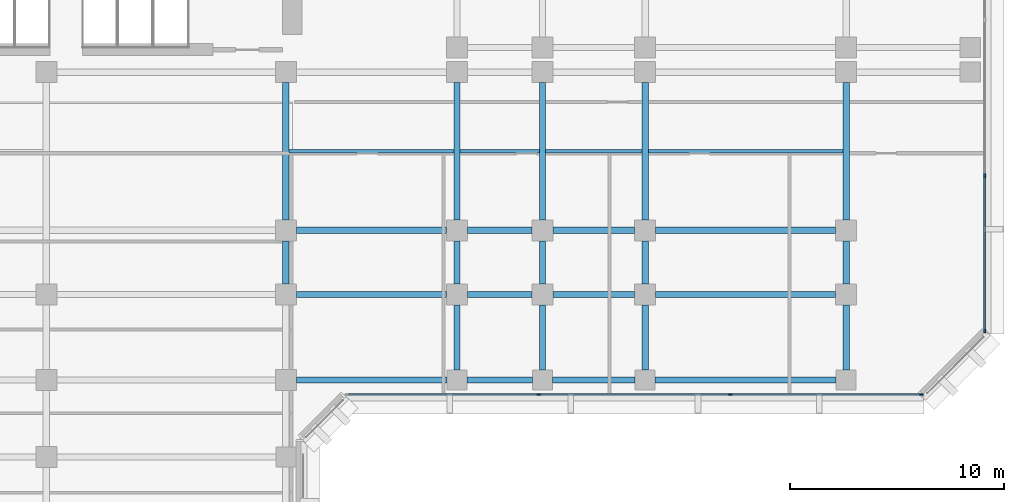
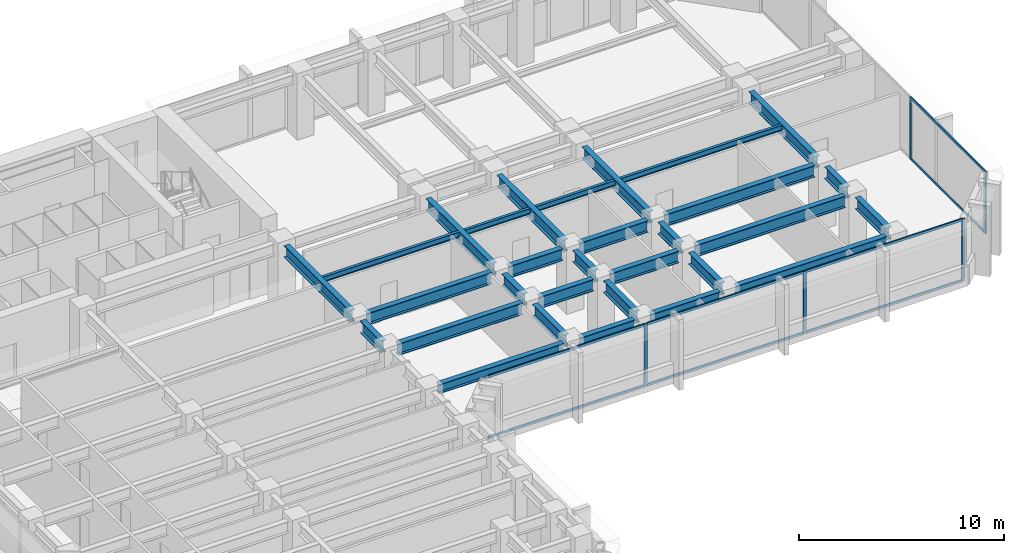
# One storey, part 3 of 13: 30 beams, 13 members, 2 elements without a shape of their own.
"""IFC4 building model written with IfcOpenShell, lengths in metres."""

from ifc_helpers import new_model, si_unit, direction, frame, origin, origin_2d, place, context, subcontext, project, spatial, rectangle, i_section, extrude, material, layer, layer_set, material_profile, profile_set, type_object, element, aggregate, save


model = new_model("IFC4")

# Units and contexts
model_context = context("Model", 3, precision=1e-05, world=origin(), true_north=direction((0.0, 1.0)))
body_context = subcontext(model_context, "Body", "Model", "MODEL_VIEW")
ifc_project = project(units=[si_unit("LENGTHUNIT", "METRE"), si_unit("AREAUNIT", "SQUARE_METRE"), si_unit("VOLUMEUNIT", "CUBIC_METRE"), si_unit("PLANEANGLEUNIT", "RADIAN"), si_unit("MASSUNIT", "GRAM", prefix="KILO")], contexts=[model_context])

# Site, building, storey
site_placement = place(None, origin())
site = spatial("IfcSite", under=ifc_project, at=site_placement, CompositionType="ELEMENT")
building_placement = place(site_placement, origin())
building = spatial("IfcBuilding", under=site, at=building_placement, Name="Kefirva Bronze Tower", CompositionType="ELEMENT")
storey_placement = place(building_placement, frame((0.0, 0.0, 77.8798828125)))
storey = spatial("IfcBuildingStorey", under=building, at=storey_placement, Name="L18", CompositionType="ELEMENT", Elevation=77.8798828125)

# Curtain wall, members
ifc_material_1 = material(Name="Bronze anodised aluminium", Category="aluminium")
ifc_layer = layer(ifc_material_1, 0.199951171875, Name="Bronze anodised aluminium")
ifc_layer_set = layer_set([ifc_layer], Name="Bronze anodised aluminium")
curtain_wall_type = type_object("IfcCurtainWallType", Name="Unitised Bronze Ribbon Curtain Wall Zone 1", PredefinedType="USERDEFINED", material=ifc_layer_set)
curtain_wall_1_placement = place(storey_placement, origin())
curtain_wall_1 = element("IfcCurtainWall", 1, at=curtain_wall_1_placement, inside=storey, type_object=curtain_wall_type, Name="L18 Curtain Wall 1", ObjectType="UNITISED CURTAIN WALL", PredefinedType="USERDEFINED")
ifc_material_profile_1 = material_profile(ifc_material_1, rectangle(XDim=0.074951171875, YDim=0.179931640625, at=origin_2d()), Name="ALU 75x180")
ifc_profile_set_1 = profile_set([ifc_material_profile_1], Name="Bronze anodised aluminium")
member_type_1 = type_object("IfcMemberType", Name="Bronze Mullion 75x180", PredefinedType="MULLION", material=ifc_profile_set_1)
member_1_placement = place(storey_placement, frame((35.018310546875, 18.1201171875, 0.0), z_axis=(0.0, 0.0, 1.0), x_axis=(0.0, 1.0, 0.0)))
member_1 = element("IfcMember", 2, at=member_1_placement, type_object=member_type_1, Name="CW-01 mullion 2", PredefinedType="MULLION", context=body_context, shape_type="SweptSolid", body=[
    extrude(rectangle(XDim=0.074951171875, YDim=0.179931640625, at=origin_2d()), origin(), (0.0, 0.0, 1.0), 3.710205078125),
])
member_2_placement = place(storey_placement, frame((43.981689453125, 18.1201171875, 0.0), z_axis=(0.0, 0.0, 1.0), x_axis=(0.0, 1.0, 0.0)))
member_2 = element("IfcMember", 3, at=member_2_placement, type_object=member_type_1, Name="CW-01 mullion 3", PredefinedType="MULLION", context=body_context, shape_type="SweptSolid", body=[
    extrude(rectangle(XDim=0.074951171875, YDim=0.179931640625, at=origin_2d()), origin(), (0.0, 0.0, 1.0), 3.710205078125),
])
member_3_placement = place(storey_placement, frame((52.907470703125, 18.1201171875, 0.0), z_axis=(0.0, 0.0, 1.0), x_axis=(0.0, 1.0, 0.0)))
member_3 = element("IfcMember", 4, at=member_3_placement, type_object=member_type_1, Name="CW-01 mullion 4", PredefinedType="MULLION", context=body_context, shape_type="SweptSolid", body=[
    extrude(rectangle(XDim=0.074951171875, YDim=0.179931640625, at=origin_2d()), origin(), (0.0, 0.0, 1.0), 3.710205078125),
])

curtain_wall_2_placement = place(storey_placement, origin())
curtain_wall_2 = element("IfcCurtainWall", 5, at=curtain_wall_2_placement, inside=storey, type_object=curtain_wall_type, Name="L18 Curtain Wall 2", ObjectType="UNITISED CURTAIN WALL", PredefinedType="USERDEFINED")
member_4_placement = place(storey_placement, frame((55.8798828125, 21.092529296875, 0.0), z_axis=(0.0, 0.0, 1.0), x_axis=(-1.0, 0.0, 0.0)))
member_4 = element("IfcMember", 6, at=member_4_placement, type_object=member_type_1, Name="CW-01 mullion 1", PredefinedType="MULLION", context=body_context, shape_type="SweptSolid", body=[
    extrude(rectangle(XDim=0.074951171875, YDim=0.179931640625, at=origin_2d()), origin(), (0.0, 0.0, 1.0), 3.710205078125),
])
member_5_placement = place(storey_placement, frame((55.8798828125, 28.3515625, 0.0), z_axis=(0.0, 0.0, 1.0), x_axis=(-1.0, 0.0, 0.0)))
member_5 = element("IfcMember", 7, at=member_5_placement, type_object=member_type_1, Name="CW-01 mullion 2", PredefinedType="MULLION", context=body_context, shape_type="SweptSolid", body=[
    extrude(rectangle(XDim=0.074951171875, YDim=0.179931640625, at=origin_2d()), origin(), (0.0, 0.0, 1.0), 3.710205078125),
])

# Member
ifc_material_profile_2 = material_profile(ifc_material_1, rectangle(XDim=0.074951171875, YDim=0.14990234375, at=origin_2d()), Name="ALU 75x150")
ifc_profile_set_2 = profile_set([ifc_material_profile_2], Name="Bronze anodised aluminium")
member_type_2 = type_object("IfcMemberType", Name="Bronze Transom 75x150", PredefinedType="USERDEFINED", material=ifc_profile_set_2)
member_6_placement = place(storey_placement, frame((26.1298828125, 18.1201171875, 0.03759765625), z_axis=(1.0, 0.0, 0.0), x_axis=(0.0, 1.0, 0.0)))
member_6 = element("IfcMember", 8, at=member_6_placement, type_object=member_type_2, Name="CW-01 transom 1.1", ObjectType="TRANSOM", PredefinedType="USERDEFINED", context=body_context, shape_type="SweptSolid", body=[
    extrude(rectangle(XDim=0.074951171875, YDim=0.14990234375, at=origin_2d()), origin(), (0.0, 0.0, 1.0), 8.850830078125),
])

member_7_placement = place(storey_placement, frame((26.1298828125, 18.1201171875, 3.672607421875), z_axis=(1.0, 0.0, 0.0), x_axis=(0.0, 1.0, 0.0)))
member_7 = element("IfcMember", 9, at=member_7_placement, type_object=member_type_2, Name="CW-01 transom 1.2", ObjectType="TRANSOM", PredefinedType="USERDEFINED", context=body_context, shape_type="SweptSolid", body=[
    extrude(rectangle(XDim=0.074951171875, YDim=0.14990234375, at=origin_2d()), origin(), (0.0, 0.0, 1.0), 8.850830078125),
])

member_8_placement = place(storey_placement, frame((35.055908203125, 18.1201171875, 0.03759765625), z_axis=(1.0, 0.0, 0.0), x_axis=(0.0, 1.0, 0.0)))
member_8 = element("IfcMember", 10, at=member_8_placement, type_object=member_type_2, Name="CW-01 transom 2.1", ObjectType="TRANSOM", PredefinedType="USERDEFINED", context=body_context, shape_type="SweptSolid", body=[
    extrude(rectangle(XDim=0.074951171875, YDim=0.14990234375, at=origin_2d()), origin(), (0.0, 0.0, 1.0), 8.88818359375),
])

member_9_placement = place(storey_placement, frame((35.055908203125, 18.1201171875, 3.672607421875), z_axis=(1.0, 0.0, 0.0), x_axis=(0.0, 1.0, 0.0)))
member_9 = element("IfcMember", 11, at=member_9_placement, type_object=member_type_2, Name="CW-01 transom 2.2", ObjectType="TRANSOM", PredefinedType="USERDEFINED", context=body_context, shape_type="SweptSolid", body=[
    extrude(rectangle(XDim=0.074951171875, YDim=0.14990234375, at=origin_2d()), origin(), (0.0, 0.0, 1.0), 8.88818359375),
])

member_10_placement = place(storey_placement, frame((44.019287109375, 18.1201171875, 0.03759765625), z_axis=(1.0, 0.0, 0.0), x_axis=(0.0, 1.0, 0.0)))
member_10 = element("IfcMember", 12, at=member_10_placement, type_object=member_type_2, Name="CW-01 transom 3.1", ObjectType="TRANSOM", PredefinedType="USERDEFINED", context=body_context, shape_type="SweptSolid", body=[
    extrude(rectangle(XDim=0.074951171875, YDim=0.14990234375, at=origin_2d()), origin(), (0.0, 0.0, 1.0), 8.850830078125),
])

member_11_placement = place(storey_placement, frame((44.019287109375, 18.1201171875, 3.672607421875), z_axis=(1.0, 0.0, 0.0), x_axis=(0.0, 1.0, 0.0)))
member_11 = element("IfcMember", 13, at=member_11_placement, type_object=member_type_2, Name="CW-01 transom 3.2", ObjectType="TRANSOM", PredefinedType="USERDEFINED", context=body_context, shape_type="SweptSolid", body=[
    extrude(rectangle(XDim=0.074951171875, YDim=0.14990234375, at=origin_2d()), origin(), (0.0, 0.0, 1.0), 8.850830078125),
])

aggregate(curtain_wall_1, [member_1, member_2, member_3, member_6, member_7, member_8, member_9, member_10, member_11])

member_12_placement = place(storey_placement, frame((55.8798828125, 21.1298828125, 0.03759765625), z_axis=(0.0, 1.0, 0.0), x_axis=(-1.0, 0.0, 0.0)))
member_12 = element("IfcMember", 14, at=member_12_placement, type_object=member_type_2, Name="CW-01 transom 1.1", ObjectType="TRANSOM", PredefinedType="USERDEFINED", context=body_context, shape_type="SweptSolid", body=[
    extrude(rectangle(XDim=0.074951171875, YDim=0.14990234375, at=origin_2d()), origin(), (0.0, 0.0, 1.0), 7.184326171875),
])

member_13_placement = place(storey_placement, frame((55.8798828125, 21.1298828125, 3.672607421875), z_axis=(0.0, 1.0, 0.0), x_axis=(-1.0, 0.0, 0.0)))
member_13 = element("IfcMember", 15, at=member_13_placement, type_object=member_type_2, Name="CW-01 transom 1.2", ObjectType="TRANSOM", PredefinedType="USERDEFINED", context=body_context, shape_type="SweptSolid", body=[
    extrude(rectangle(XDim=0.074951171875, YDim=0.14990234375, at=origin_2d()), origin(), (0.0, 0.0, 1.0), 7.184326171875),
])

aggregate(curtain_wall_2, [member_4, member_5, member_12, member_13])

# Beams
ifc_material_2 = material(Name="Steel S355", Category="steel")
ifc_material_profile_3 = material_profile(ifc_material_2, i_section(OverallWidth=0.159912109375, OverallDepth=0.330078125, WebThickness=0.007568359375, FlangeThickness=0.011474609375, at=origin_2d()), Name="IPE 330")
ifc_profile_set_3 = profile_set([ifc_material_profile_3], Name="Steel S355")
beam_type_1 = type_object("IfcBeamType", Name="Steel Floor Joist IPE 330", PredefinedType="JOIST", material=ifc_profile_set_3)
beam_1_placement = place(storey_placement, frame((23.35009765625, 29.5, 3.545166015625), z_axis=(1.0, 0.0, 0.0), x_axis=(0.0, 1.0, 0.0)))
element("IfcBeam", 16, at=beam_1_placement, inside=storey, type_object=beam_type_1, Name="L18 JST-L18-23-295", PredefinedType="JOIST", context=body_context, shape_type="SweptSolid", body=[
    extrude(i_section(OverallWidth=0.159912109375, OverallDepth=0.330078125, WebThickness=0.007568359375, FlangeThickness=0.011474609375, at=origin_2d()), origin(), (0.0, 0.0, 1.0), 7.699951171875),
])
beam_2_placement = place(storey_placement, frame((31.35009765625, 29.5, 3.545166015625), z_axis=(1.0, 0.0, 0.0), x_axis=(0.0, 1.0, 0.0)))
element("IfcBeam", 17, at=beam_2_placement, inside=storey, type_object=beam_type_1, Name="L18 JST-L18-31-295", PredefinedType="JOIST", context=body_context, shape_type="SweptSolid", body=[
    extrude(i_section(OverallWidth=0.159912109375, OverallDepth=0.330078125, WebThickness=0.007568359375, FlangeThickness=0.011474609375, at=origin_2d()), origin(), (0.0, 0.0, 1.0), 3.699951171875),
])
beam_3_placement = place(storey_placement, frame((35.35009765625, 29.5, 3.545166015625), z_axis=(1.0, 0.0, 0.0), x_axis=(0.0, 1.0, 0.0)))
element("IfcBeam", 18, at=beam_3_placement, inside=storey, type_object=beam_type_1, Name="L18 JST-L18-35-295", PredefinedType="JOIST", context=body_context, shape_type="SweptSolid", body=[
    extrude(i_section(OverallWidth=0.159912109375, OverallDepth=0.330078125, WebThickness=0.007568359375, FlangeThickness=0.011474609375, at=origin_2d()), origin(), (0.0, 0.0, 1.0), 4.5),
])
beam_4_placement = place(storey_placement, frame((40.14990234375, 29.5, 3.545166015625), z_axis=(1.0, 0.0, 0.0), x_axis=(0.0, 1.0, 0.0)))
element("IfcBeam", 19, at=beam_4_placement, inside=storey, type_object=beam_type_1, Name="L18 JST-L18-40-295", PredefinedType="JOIST", context=body_context, shape_type="SweptSolid", body=[
    extrude(i_section(OverallWidth=0.159912109375, OverallDepth=0.330078125, WebThickness=0.007568359375, FlangeThickness=0.011474609375, at=origin_2d()), origin(), (0.0, 0.0, 1.0), 9.10009765625),
])
ifc_material_profile_4 = material_profile(ifc_material_2, i_section(OverallWidth=0.300048828125, OverallDepth=0.699951171875, WebThickness=0.01708984375, FlangeThickness=0.031982421875, at=origin_2d()), Name="HEB 700")
ifc_profile_set_4 = profile_set([ifc_material_profile_4], Name="Steel S355")
beam_type_2 = type_object("IfcBeamType", Name="Steel Girder HEB 700", PredefinedType="USERDEFINED", material=ifc_profile_set_4)
beam_5_placement = place(storey_placement, frame((23.68994140625, 22.800048828125, 3.360107421875), z_axis=(1.0, 0.0, 0.0), x_axis=(0.0, 1.0, 0.0)))
element("IfcBeam", 20, at=beam_5_placement, inside=storey, type_object=beam_type_2, Name="L18 BM-L18-EW-23-228", ObjectType="GIRDER", PredefinedType="USERDEFINED", context=body_context, shape_type="SweptSolid", body=[
    extrude(i_section(OverallWidth=0.300048828125, OverallDepth=0.699951171875, WebThickness=0.01708984375, FlangeThickness=0.031982421875, at=origin_2d()), origin(), (0.0, 0.0, 1.0), 7.02001953125),
])
beam_6_placement = place(storey_placement, frame((31.68994140625, 22.800048828125, 3.360107421875), z_axis=(1.0, 0.0, 0.0), x_axis=(0.0, 1.0, 0.0)))
element("IfcBeam", 21, at=beam_6_placement, inside=storey, type_object=beam_type_2, Name="L18 BM-L18-EW-31-228", ObjectType="GIRDER", PredefinedType="USERDEFINED", context=body_context, shape_type="SweptSolid", body=[
    extrude(i_section(OverallWidth=0.300048828125, OverallDepth=0.699951171875, WebThickness=0.01708984375, FlangeThickness=0.031982421875, at=origin_2d()), origin(), (0.0, 0.0, 1.0), 3.02001953125),
])
beam_7_placement = place(storey_placement, frame((35.68994140625, 22.800048828125, 3.360107421875), z_axis=(1.0, 0.0, 0.0), x_axis=(0.0, 1.0, 0.0)))
element("IfcBeam", 22, at=beam_7_placement, inside=storey, type_object=beam_type_2, Name="L18 BM-L18-EW-35-228", ObjectType="GIRDER", PredefinedType="USERDEFINED", context=body_context, shape_type="SweptSolid", body=[
    extrude(i_section(OverallWidth=0.300048828125, OverallDepth=0.699951171875, WebThickness=0.01708984375, FlangeThickness=0.031982421875, at=origin_2d()), origin(), (0.0, 0.0, 1.0), 3.820068359375),
])
beam_8_placement = place(storey_placement, frame((40.489990234375, 22.800048828125, 3.360107421875), z_axis=(1.0, 0.0, 0.0), x_axis=(0.0, 1.0, 0.0)))
element("IfcBeam", 23, at=beam_8_placement, inside=storey, type_object=beam_type_2, Name="L18 BM-L18-EW-40-228", ObjectType="GIRDER", PredefinedType="USERDEFINED", context=body_context, shape_type="SweptSolid", body=[
    extrude(i_section(OverallWidth=0.300048828125, OverallDepth=0.699951171875, WebThickness=0.01708984375, FlangeThickness=0.031982421875, at=origin_2d()), origin(), (0.0, 0.0, 1.0), 8.419921875),
])
beam_9_placement = place(storey_placement, frame((23.68994140625, 25.800048828125, 3.360107421875), z_axis=(1.0, 0.0, 0.0), x_axis=(0.0, 1.0, 0.0)))
element("IfcBeam", 24, at=beam_9_placement, inside=storey, type_object=beam_type_2, Name="L18 BM-L18-EW-23-258", ObjectType="GIRDER", PredefinedType="USERDEFINED", context=body_context, shape_type="SweptSolid", body=[
    extrude(i_section(OverallWidth=0.300048828125, OverallDepth=0.699951171875, WebThickness=0.01708984375, FlangeThickness=0.031982421875, at=origin_2d()), origin(), (0.0, 0.0, 1.0), 7.02001953125),
])
beam_10_placement = place(storey_placement, frame((31.68994140625, 25.800048828125, 3.360107421875), z_axis=(1.0, 0.0, 0.0), x_axis=(0.0, 1.0, 0.0)))
element("IfcBeam", 25, at=beam_10_placement, inside=storey, type_object=beam_type_2, Name="L18 BM-L18-EW-31-258", ObjectType="GIRDER", PredefinedType="USERDEFINED", context=body_context, shape_type="SweptSolid", body=[
    extrude(i_section(OverallWidth=0.300048828125, OverallDepth=0.699951171875, WebThickness=0.01708984375, FlangeThickness=0.031982421875, at=origin_2d()), origin(), (0.0, 0.0, 1.0), 3.02001953125),
])
beam_11_placement = place(storey_placement, frame((35.68994140625, 25.800048828125, 3.360107421875), z_axis=(1.0, 0.0, 0.0), x_axis=(0.0, 1.0, 0.0)))
element("IfcBeam", 26, at=beam_11_placement, inside=storey, type_object=beam_type_2, Name="L18 BM-L18-EW-35-258", ObjectType="GIRDER", PredefinedType="USERDEFINED", context=body_context, shape_type="SweptSolid", body=[
    extrude(i_section(OverallWidth=0.300048828125, OverallDepth=0.699951171875, WebThickness=0.01708984375, FlangeThickness=0.031982421875, at=origin_2d()), origin(), (0.0, 0.0, 1.0), 3.820068359375),
])
beam_12_placement = place(storey_placement, frame((40.489990234375, 25.800048828125, 3.360107421875), z_axis=(1.0, 0.0, 0.0), x_axis=(0.0, 1.0, 0.0)))
element("IfcBeam", 27, at=beam_12_placement, inside=storey, type_object=beam_type_2, Name="L18 BM-L18-EW-40-258", ObjectType="GIRDER", PredefinedType="USERDEFINED", context=body_context, shape_type="SweptSolid", body=[
    extrude(i_section(OverallWidth=0.300048828125, OverallDepth=0.699951171875, WebThickness=0.01708984375, FlangeThickness=0.031982421875, at=origin_2d()), origin(), (0.0, 0.0, 1.0), 8.419921875),
])
beam_13_placement = place(storey_placement, frame((23.199951171875, 23.2900390625, 3.360107421875), z_axis=(0.0, 1.0, 0.0), x_axis=(-1.0, 0.0, 0.0)))
element("IfcBeam", 28, at=beam_13_placement, inside=storey, type_object=beam_type_2, Name="L18 BM-L18-NS-232-22", ObjectType="GIRDER", PredefinedType="USERDEFINED", context=body_context, shape_type="SweptSolid", body=[
    extrude(i_section(OverallWidth=0.300048828125, OverallDepth=0.699951171875, WebThickness=0.01708984375, FlangeThickness=0.031982421875, at=origin_2d()), origin(), (0.0, 0.0, 1.0), 2.02001953125),
])
beam_14_placement = place(storey_placement, frame((23.199951171875, 26.2900390625, 3.360107421875), z_axis=(0.0, 1.0, 0.0), x_axis=(-1.0, 0.0, 0.0)))
element("IfcBeam", 29, at=beam_14_placement, inside=storey, type_object=beam_type_2, Name="L18 BM-L18-NS-232-25", ObjectType="GIRDER", PredefinedType="USERDEFINED", context=body_context, shape_type="SweptSolid", body=[
    extrude(i_section(OverallWidth=0.300048828125, OverallDepth=0.699951171875, WebThickness=0.01708984375, FlangeThickness=0.031982421875, at=origin_2d()), origin(), (0.0, 0.0, 1.0), 6.419921875),
])
beam_15_placement = place(storey_placement, frame((31.199951171875, 19.27001953125, 3.360107421875), z_axis=(0.0, 1.0, 0.0), x_axis=(-1.0, 0.0, 0.0)))
element("IfcBeam", 30, at=beam_15_placement, inside=storey, type_object=beam_type_2, Name="L18 BM-L18-NS-312-18", ObjectType="GIRDER", PredefinedType="USERDEFINED", context=body_context, shape_type="SweptSolid", body=[
    extrude(i_section(OverallWidth=0.300048828125, OverallDepth=0.699951171875, WebThickness=0.01708984375, FlangeThickness=0.031982421875, at=origin_2d()), origin(), (0.0, 0.0, 1.0), 3.0400390625),
])
beam_16_placement = place(storey_placement, frame((31.199951171875, 23.2900390625, 3.360107421875), z_axis=(0.0, 1.0, 0.0), x_axis=(-1.0, 0.0, 0.0)))
element("IfcBeam", 31, at=beam_16_placement, inside=storey, type_object=beam_type_2, Name="L18 BM-L18-NS-312-22", ObjectType="GIRDER", PredefinedType="USERDEFINED", context=body_context, shape_type="SweptSolid", body=[
    extrude(i_section(OverallWidth=0.300048828125, OverallDepth=0.699951171875, WebThickness=0.01708984375, FlangeThickness=0.031982421875, at=origin_2d()), origin(), (0.0, 0.0, 1.0), 2.02001953125),
])
beam_17_placement = place(storey_placement, frame((31.199951171875, 26.2900390625, 3.360107421875), z_axis=(0.0, 1.0, 0.0), x_axis=(-1.0, 0.0, 0.0)))
element("IfcBeam", 32, at=beam_17_placement, inside=storey, type_object=beam_type_2, Name="L18 BM-L18-NS-312-25", ObjectType="GIRDER", PredefinedType="USERDEFINED", context=body_context, shape_type="SweptSolid", body=[
    extrude(i_section(OverallWidth=0.300048828125, OverallDepth=0.699951171875, WebThickness=0.01708984375, FlangeThickness=0.031982421875, at=origin_2d()), origin(), (0.0, 0.0, 1.0), 6.419921875),
])
beam_18_placement = place(storey_placement, frame((35.199951171875, 19.27001953125, 3.360107421875), z_axis=(0.0, 1.0, 0.0), x_axis=(-1.0, 0.0, 0.0)))
element("IfcBeam", 33, at=beam_18_placement, inside=storey, type_object=beam_type_2, Name="L18 BM-L18-NS-352-18", ObjectType="GIRDER", PredefinedType="USERDEFINED", context=body_context, shape_type="SweptSolid", body=[
    extrude(i_section(OverallWidth=0.300048828125, OverallDepth=0.699951171875, WebThickness=0.01708984375, FlangeThickness=0.031982421875, at=origin_2d()), origin(), (0.0, 0.0, 1.0), 3.0400390625),
])
beam_19_placement = place(storey_placement, frame((35.199951171875, 23.2900390625, 3.360107421875), z_axis=(0.0, 1.0, 0.0), x_axis=(-1.0, 0.0, 0.0)))
element("IfcBeam", 34, at=beam_19_placement, inside=storey, type_object=beam_type_2, Name="L18 BM-L18-NS-352-22", ObjectType="GIRDER", PredefinedType="USERDEFINED", context=body_context, shape_type="SweptSolid", body=[
    extrude(i_section(OverallWidth=0.300048828125, OverallDepth=0.699951171875, WebThickness=0.01708984375, FlangeThickness=0.031982421875, at=origin_2d()), origin(), (0.0, 0.0, 1.0), 2.02001953125),
])
beam_20_placement = place(storey_placement, frame((35.199951171875, 26.2900390625, 3.360107421875), z_axis=(0.0, 1.0, 0.0), x_axis=(-1.0, 0.0, 0.0)))
element("IfcBeam", 35, at=beam_20_placement, inside=storey, type_object=beam_type_2, Name="L18 BM-L18-NS-352-25", ObjectType="GIRDER", PredefinedType="USERDEFINED", context=body_context, shape_type="SweptSolid", body=[
    extrude(i_section(OverallWidth=0.300048828125, OverallDepth=0.699951171875, WebThickness=0.01708984375, FlangeThickness=0.031982421875, at=origin_2d()), origin(), (0.0, 0.0, 1.0), 6.419921875),
])
beam_21_placement = place(storey_placement, frame((40.0, 19.27001953125, 3.360107421875), z_axis=(0.0, 1.0, 0.0), x_axis=(-1.0, 0.0, 0.0)))
element("IfcBeam", 36, at=beam_21_placement, inside=storey, type_object=beam_type_2, Name="L18 BM-L18-NS-400-18", ObjectType="GIRDER", PredefinedType="USERDEFINED", context=body_context, shape_type="SweptSolid", body=[
    extrude(i_section(OverallWidth=0.300048828125, OverallDepth=0.699951171875, WebThickness=0.01708984375, FlangeThickness=0.031982421875, at=origin_2d()), origin(), (0.0, 0.0, 1.0), 3.0400390625),
])
beam_22_placement = place(storey_placement, frame((40.0, 23.2900390625, 3.360107421875), z_axis=(0.0, 1.0, 0.0), x_axis=(-1.0, 0.0, 0.0)))
element("IfcBeam", 37, at=beam_22_placement, inside=storey, type_object=beam_type_2, Name="L18 BM-L18-NS-400-22", ObjectType="GIRDER", PredefinedType="USERDEFINED", context=body_context, shape_type="SweptSolid", body=[
    extrude(i_section(OverallWidth=0.300048828125, OverallDepth=0.699951171875, WebThickness=0.01708984375, FlangeThickness=0.031982421875, at=origin_2d()), origin(), (0.0, 0.0, 1.0), 2.02001953125),
])
beam_23_placement = place(storey_placement, frame((40.0, 26.2900390625, 3.360107421875), z_axis=(0.0, 1.0, 0.0), x_axis=(-1.0, 0.0, 0.0)))
element("IfcBeam", 38, at=beam_23_placement, inside=storey, type_object=beam_type_2, Name="L18 BM-L18-NS-400-25", ObjectType="GIRDER", PredefinedType="USERDEFINED", context=body_context, shape_type="SweptSolid", body=[
    extrude(i_section(OverallWidth=0.300048828125, OverallDepth=0.699951171875, WebThickness=0.01708984375, FlangeThickness=0.031982421875, at=origin_2d()), origin(), (0.0, 0.0, 1.0), 6.419921875),
])
beam_24_placement = place(storey_placement, frame((49.39990234375, 19.27001953125, 3.360107421875), z_axis=(0.0, 1.0, 0.0), x_axis=(-1.0, 0.0, 0.0)))
element("IfcBeam", 39, at=beam_24_placement, inside=storey, type_object=beam_type_2, Name="L18 BM-L18-NS-494-18", ObjectType="GIRDER", PredefinedType="USERDEFINED", context=body_context, shape_type="SweptSolid", body=[
    extrude(i_section(OverallWidth=0.300048828125, OverallDepth=0.699951171875, WebThickness=0.01708984375, FlangeThickness=0.031982421875, at=origin_2d()), origin(), (0.0, 0.0, 1.0), 3.0400390625),
])
beam_25_placement = place(storey_placement, frame((49.39990234375, 23.2900390625, 3.360107421875), z_axis=(0.0, 1.0, 0.0), x_axis=(-1.0, 0.0, 0.0)))
element("IfcBeam", 40, at=beam_25_placement, inside=storey, type_object=beam_type_2, Name="L18 BM-L18-NS-494-22", ObjectType="GIRDER", PredefinedType="USERDEFINED", context=body_context, shape_type="SweptSolid", body=[
    extrude(i_section(OverallWidth=0.300048828125, OverallDepth=0.699951171875, WebThickness=0.01708984375, FlangeThickness=0.031982421875, at=origin_2d()), origin(), (0.0, 0.0, 1.0), 2.02001953125),
])
beam_26_placement = place(storey_placement, frame((49.39990234375, 26.2900390625, 3.360107421875), z_axis=(0.0, 1.0, 0.0), x_axis=(-1.0, 0.0, 0.0)))
element("IfcBeam", 41, at=beam_26_placement, inside=storey, type_object=beam_type_2, Name="L18 BM-L18-NS-494-25", ObjectType="GIRDER", PredefinedType="USERDEFINED", context=body_context, shape_type="SweptSolid", body=[
    extrude(i_section(OverallWidth=0.300048828125, OverallDepth=0.699951171875, WebThickness=0.01708984375, FlangeThickness=0.031982421875, at=origin_2d()), origin(), (0.0, 0.0, 1.0), 6.419921875),
])
ifc_material_profile_5 = material_profile(ifc_material_2, i_section(OverallWidth=0.300048828125, OverallDepth=0.550048828125, WebThickness=0.014892578125, FlangeThickness=0.029052734375, at=origin_2d()), Name="HEB 550")
ifc_profile_set_5 = profile_set([ifc_material_profile_5], Name="Steel S355")
beam_type_3 = type_object("IfcBeamType", Name="Steel Spandrel HEB 550 Ext", PredefinedType="SPANDREL", material=ifc_profile_set_5)
beam_27_placement = place(storey_placement, frame((23.68994140625, 18.800048828125, 3.43505859375), z_axis=(1.0, 0.0, 0.0), x_axis=(0.0, 1.0, 0.0)))
element("IfcBeam", 42, at=beam_27_placement, inside=storey, type_object=beam_type_3, Name="L18 BM-L18-EW-23-188", PredefinedType="SPANDREL", context=body_context, shape_type="SweptSolid", body=[
    extrude(i_section(OverallWidth=0.300048828125, OverallDepth=0.550048828125, WebThickness=0.014892578125, FlangeThickness=0.029052734375, at=origin_2d()), origin(), (0.0, 0.0, 1.0), 7.0400390625),
])
beam_28_placement = place(storey_placement, frame((31.669921875, 18.800048828125, 3.43505859375), z_axis=(1.0, 0.0, 0.0), x_axis=(0.0, 1.0, 0.0)))
element("IfcBeam", 43, at=beam_28_placement, inside=storey, type_object=beam_type_3, Name="L18 BM-L18-EW-31-188", PredefinedType="SPANDREL", context=body_context, shape_type="SweptSolid", body=[
    extrude(i_section(OverallWidth=0.300048828125, OverallDepth=0.550048828125, WebThickness=0.014892578125, FlangeThickness=0.029052734375, at=origin_2d()), origin(), (0.0, 0.0, 1.0), 3.06005859375),
])
beam_29_placement = place(storey_placement, frame((35.669921875, 18.800048828125, 3.43505859375), z_axis=(1.0, 0.0, 0.0), x_axis=(0.0, 1.0, 0.0)))
element("IfcBeam", 44, at=beam_29_placement, inside=storey, type_object=beam_type_3, Name="L18 BM-L18-EW-35-188", PredefinedType="SPANDREL", context=body_context, shape_type="SweptSolid", body=[
    extrude(i_section(OverallWidth=0.300048828125, OverallDepth=0.550048828125, WebThickness=0.014892578125, FlangeThickness=0.029052734375, at=origin_2d()), origin(), (0.0, 0.0, 1.0), 3.860107421875),
])
beam_30_placement = place(storey_placement, frame((40.469970703125, 18.800048828125, 3.43505859375), z_axis=(1.0, 0.0, 0.0), x_axis=(0.0, 1.0, 0.0)))
element("IfcBeam", 45, at=beam_30_placement, inside=storey, type_object=beam_type_3, Name="L18 BM-L18-EW-40-188", PredefinedType="SPANDREL", context=body_context, shape_type="SweptSolid", body=[
    extrude(i_section(OverallWidth=0.300048828125, OverallDepth=0.550048828125, WebThickness=0.014892578125, FlangeThickness=0.029052734375, at=origin_2d()), origin(), (0.0, 0.0, 1.0), 8.4599609375),
])

save(model, "model.ifc")
